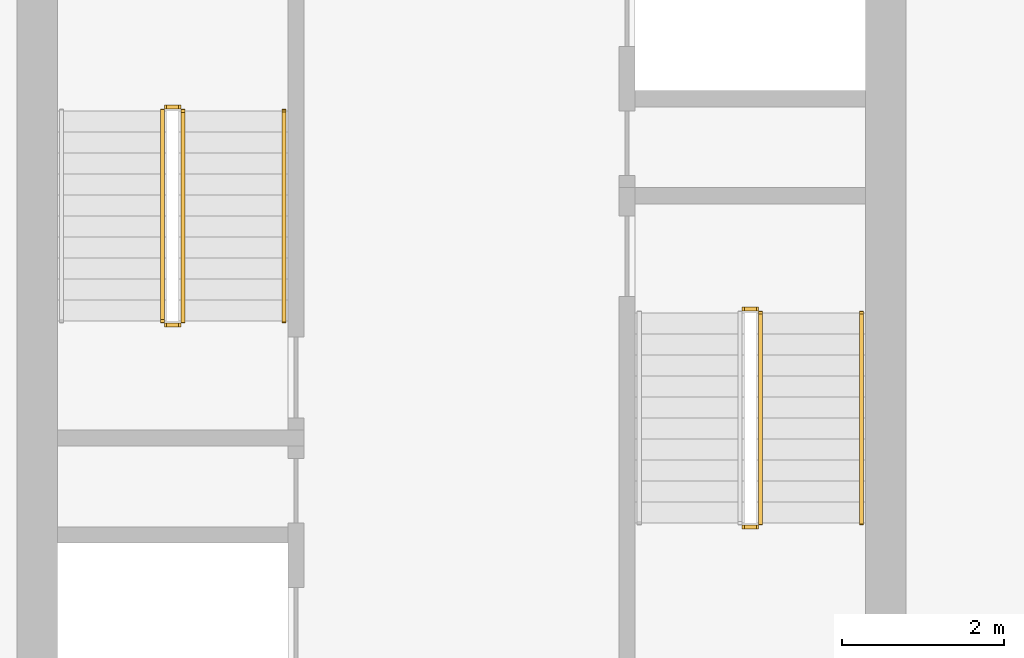
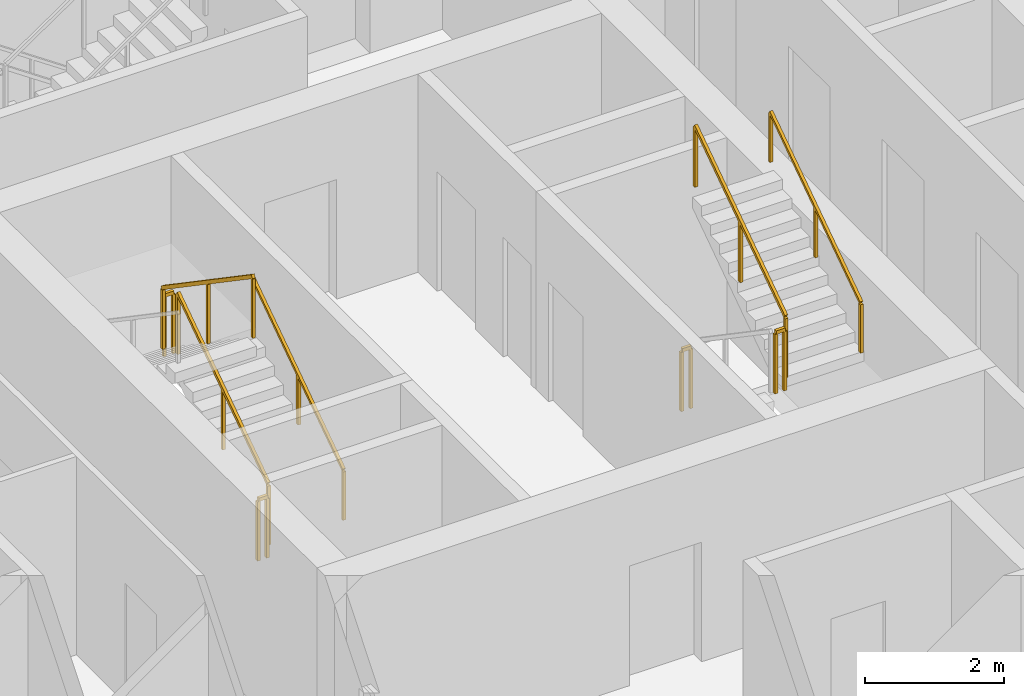
# One storey, part 12 of 15: 9 railings.
"""IFC4 building model written with IfcOpenShell, lengths in metres."""

from ifc_helpers import new_model, si_unit, direction, frame, origin, origin_2d, place, context, subcontext, project, spatial, rectangle, extrude, material, type_object, element, save


model = new_model("IFC4")

# Units and contexts
model_context = context("Model", 3, precision=1e-05, world=origin(), true_north=direction((0.0, 1.0)))
body_context = subcontext(model_context, "Body", "Model", "MODEL_VIEW")
ifc_project = project(units=[si_unit("LENGTHUNIT", "METRE"), si_unit("AREAUNIT", "SQUARE_METRE"), si_unit("VOLUMEUNIT", "CUBIC_METRE"), si_unit("PLANEANGLEUNIT", "RADIAN"), si_unit("MASSUNIT", "GRAM", prefix="KILO")], contexts=[model_context])

# Site, building, storey
site_placement = place(None, origin())
site = spatial("IfcSite", under=ifc_project, at=site_placement, CompositionType="ELEMENT")
building_placement = place(site_placement, origin())
building = spatial("IfcBuilding", under=site, at=building_placement, Name="Khepri Terraces", CompositionType="ELEMENT")
storey_placement = place(building_placement, frame((0.0, 0.0, 161.10009765625)))
storey = spatial("IfcBuildingStorey", under=building, at=storey_placement, Name="L38", CompositionType="ELEMENT", Elevation=161.10009765625)

# Railings
ifc_material = material(Name="Stainless steel 316", Category="steel")
railing_type_1 = type_object("IfcRailingType", Name="RL-CORE-GUARD", PredefinedType="GUARDRAIL", material=ifc_material)
railing_1_placement = place(storey_placement, frame((-3.449951171875, -0.050048828125, 0.17724609375)))
element("IfcRailing", 1, at=railing_1_placement, inside=storey, type_object=railing_type_1, Name="L38 ST-1 stair guard 1", PredefinedType="GUARDRAIL", context=body_context, shape_type="SweptSolid", body=[
    extrude(rectangle(XDim=0.050048828125, YDim=0.06005859375, at=origin_2d()), frame((0.0, 0.0, 1.070068359375), z_axis=(0.0, 0.826240473404, 0.563317565952), x_axis=(-1.0, 0.0, 0.0)), (0.0, 0.0, 1.0), 3.14697265625),
    extrude(rectangle(XDim=0.050048828125, YDim=0.050048828125, at=origin_2d()), origin(), (0.0, 0.0, 1.0), 1.0400390625),
    extrude(rectangle(XDim=0.050048828125, YDim=0.050048828125, at=origin_2d()), frame((0.0, 1.300048828125, 0.88623046875)), (0.0, 0.0, 1.0), 1.0400390625),
    extrude(rectangle(XDim=0.050048828125, YDim=0.050048828125, at=origin_2d()), frame((0.0, 2.60009765625, 1.772705078125)), (0.0, 0.0, 1.0), 1.0400390625),
])
railing_2_placement = place(storey_placement, frame((-3.5, 2.60009765625, 1.949951171875)))
element("IfcRailing", 2, at=railing_2_placement, inside=storey, type_object=railing_type_1, Name="L38 ST-1 stair guard 2", PredefinedType="GUARDRAIL", context=body_context, shape_type="SweptSolid", body=[
    extrude(rectangle(XDim=0.050048828125, YDim=0.06005859375, at=origin_2d()), frame((0.0, 0.0, 1.070068359375), z_axis=(-1.0, 0.0, 0.0), x_axis=(0.0, -1.0, 0.0)), (0.0, 0.0, 1.0), 0.14990234375),
    extrude(rectangle(XDim=0.050048828125, YDim=0.050048828125, at=origin_2d()), origin(), (0.0, 0.0, 1.0), 1.0400390625),
    extrude(rectangle(XDim=0.050048828125, YDim=0.050048828125, at=origin_2d()), frame((-0.14990234375, 0.0, 0.0)), (0.0, 0.0, 1.0), 1.0400390625),
])
railing_3_placement = place(storey_placement, frame((-3.699951171875, 2.550048828125, 2.127197265625)))
element("IfcRailing", 3, at=railing_3_placement, inside=storey, type_object=railing_type_1, Name="L38 ST-1 stair guard 3", PredefinedType="GUARDRAIL", context=body_context, shape_type="SweptSolid", body=[
    extrude(rectangle(XDim=0.050048828125, YDim=0.06005859375, at=origin_2d()), frame((0.0, 0.0, 1.070068359375), z_axis=(0.0, -0.826240473404, 0.563317565952), x_axis=(1.0, 0.0, 0.0)), (0.0, 0.0, 1.0), 3.14697265625),
    extrude(rectangle(XDim=0.050048828125, YDim=0.050048828125, at=origin_2d()), origin(), (0.0, 0.0, 1.0), 1.0400390625),
    extrude(rectangle(XDim=0.050048828125, YDim=0.050048828125, at=origin_2d()), frame((0.0, -1.300048828125, 0.88623046875)), (0.0, 0.0, 1.0), 1.0400390625),
    extrude(rectangle(XDim=0.050048828125, YDim=0.050048828125, at=origin_2d()), frame((0.0, -2.60009765625, 1.772705078125)), (0.0, 0.0, 1.0), 1.0400390625),
])
railing_4_placement = place(storey_placement, frame((-3.5, -0.10009765625, 0.0)))
element("IfcRailing", 4, at=railing_4_placement, inside=storey, type_object=railing_type_1, Name="L38 ST-1 stair guard 4", PredefinedType="GUARDRAIL", context=body_context, shape_type="SweptSolid", body=[
    extrude(rectangle(XDim=0.050048828125, YDim=0.06005859375, at=origin_2d()), frame((0.0, 0.0, 1.070068359375), z_axis=(-1.0, 0.0, 0.0), x_axis=(0.0, -1.0, 0.0)), (0.0, 0.0, 1.0), 0.14990234375),
    extrude(rectangle(XDim=0.050048828125, YDim=0.050048828125, at=origin_2d()), origin(), (0.0, 0.0, 1.0), 1.0400390625),
    extrude(rectangle(XDim=0.050048828125, YDim=0.050048828125, at=origin_2d()), frame((-0.14990234375, 0.0, 0.0)), (0.0, 0.0, 1.0), 1.0400390625),
])
railing_5_placement = place(storey_placement, frame((3.5, -2.60009765625, 1.949951171875)))
element("IfcRailing", 5, at=railing_5_placement, inside=storey, type_object=railing_type_1, Name="L38 ST-2 stair guard 2", PredefinedType="GUARDRAIL", context=body_context, shape_type="SweptSolid", body=[
    extrude(rectangle(XDim=0.050048828125, YDim=0.06005859375, at=origin_2d()), frame((0.0, 0.0, 1.070068359375), z_axis=(1.0, 0.0, 0.0), x_axis=(0.0, 1.0, 0.0)), (0.0, 0.0, 1.0), 0.14990234375),
    extrude(rectangle(XDim=0.050048828125, YDim=0.050048828125, at=origin_2d()), origin(), (0.0, 0.0, 1.0), 1.0400390625),
    extrude(rectangle(XDim=0.050048828125, YDim=0.050048828125, at=origin_2d()), frame((0.14990234375, 0.0, 0.0)), (0.0, 0.0, 1.0), 1.0400390625),
])
railing_6_placement = place(storey_placement, frame((3.699951171875, -2.550048828125, 2.127197265625)))
element("IfcRailing", 6, at=railing_6_placement, inside=storey, type_object=railing_type_1, Name="L38 ST-2 stair guard 3", PredefinedType="GUARDRAIL", context=body_context, shape_type="SweptSolid", body=[
    extrude(rectangle(XDim=0.050048828125, YDim=0.06005859375, at=origin_2d()), frame((0.0, 0.0, 1.070068359375), z_axis=(0.0, 0.826240473404, 0.563317565952), x_axis=(-1.0, 0.0, 0.0)), (0.0, 0.0, 1.0), 3.14697265625),
    extrude(rectangle(XDim=0.050048828125, YDim=0.050048828125, at=origin_2d()), origin(), (0.0, 0.0, 1.0), 1.0400390625),
    extrude(rectangle(XDim=0.050048828125, YDim=0.050048828125, at=origin_2d()), frame((0.0, 1.300048828125, 0.88623046875)), (0.0, 0.0, 1.0), 1.0400390625),
    extrude(rectangle(XDim=0.050048828125, YDim=0.050048828125, at=origin_2d()), frame((0.0, 2.60009765625, 1.772705078125)), (0.0, 0.0, 1.0), 1.0400390625),
])
railing_7_placement = place(storey_placement, frame((3.5, 0.10009765625, 0.0)))
element("IfcRailing", 7, at=railing_7_placement, inside=storey, type_object=railing_type_1, Name="L38 ST-2 stair guard 4", PredefinedType="GUARDRAIL", context=body_context, shape_type="SweptSolid", body=[
    extrude(rectangle(XDim=0.050048828125, YDim=0.06005859375, at=origin_2d()), frame((0.0, 0.0, 1.070068359375), z_axis=(1.0, 0.0, 0.0), x_axis=(0.0, 1.0, 0.0)), (0.0, 0.0, 1.0), 0.14990234375),
    extrude(rectangle(XDim=0.050048828125, YDim=0.050048828125, at=origin_2d()), origin(), (0.0, 0.0, 1.0), 1.0400390625),
    extrude(rectangle(XDim=0.050048828125, YDim=0.050048828125, at=origin_2d()), frame((0.14990234375, 0.0, 0.0)), (0.0, 0.0, 1.0), 1.0400390625),
])
railing_type_2 = type_object("IfcRailingType", Name="RL-CORE-HANDRAIL", PredefinedType="HANDRAIL", material=ifc_material)
for number, where, name in (
    (8, (-2.199951171875, -0.050048828125, 0.17724609375), "L38 ST-1 stair handrail 1"),
    (9, (4.949951171875, -2.550048828125, 2.127197265625), "L38 ST-2 stair handrail 2"),
):
    element("IfcRailing", number, at=place(storey_placement, frame(where)), inside=storey, type_object=railing_type_2, Name=name, PredefinedType="HANDRAIL", context=body_context, shape_type="SweptSolid", body=[
        extrude(rectangle(XDim=0.050048828125, YDim=0.050048828125, at=origin_2d()), frame((0.0, 0.0, 0.875), z_axis=(0.0, 0.826240473404, 0.563317565952), x_axis=(-1.0, 0.0, 0.0)), (0.0, 0.0, 1.0), 3.14697265625),
        extrude(rectangle(XDim=0.050048828125, YDim=0.050048828125, at=origin_2d()), origin(), (0.0, 0.0, 1.0), 0.849853515625),
        extrude(rectangle(XDim=0.050048828125, YDim=0.050048828125, at=origin_2d()), frame((0.0, 1.300048828125, 0.88623046875)), (0.0, 0.0, 1.0), 0.849853515625),
        extrude(rectangle(XDim=0.050048828125, YDim=0.050048828125, at=origin_2d()), frame((0.0, 2.60009765625, 1.772705078125)), (0.0, 0.0, 1.0), 0.849853515625),
    ])

save(model, "model.ifc")
